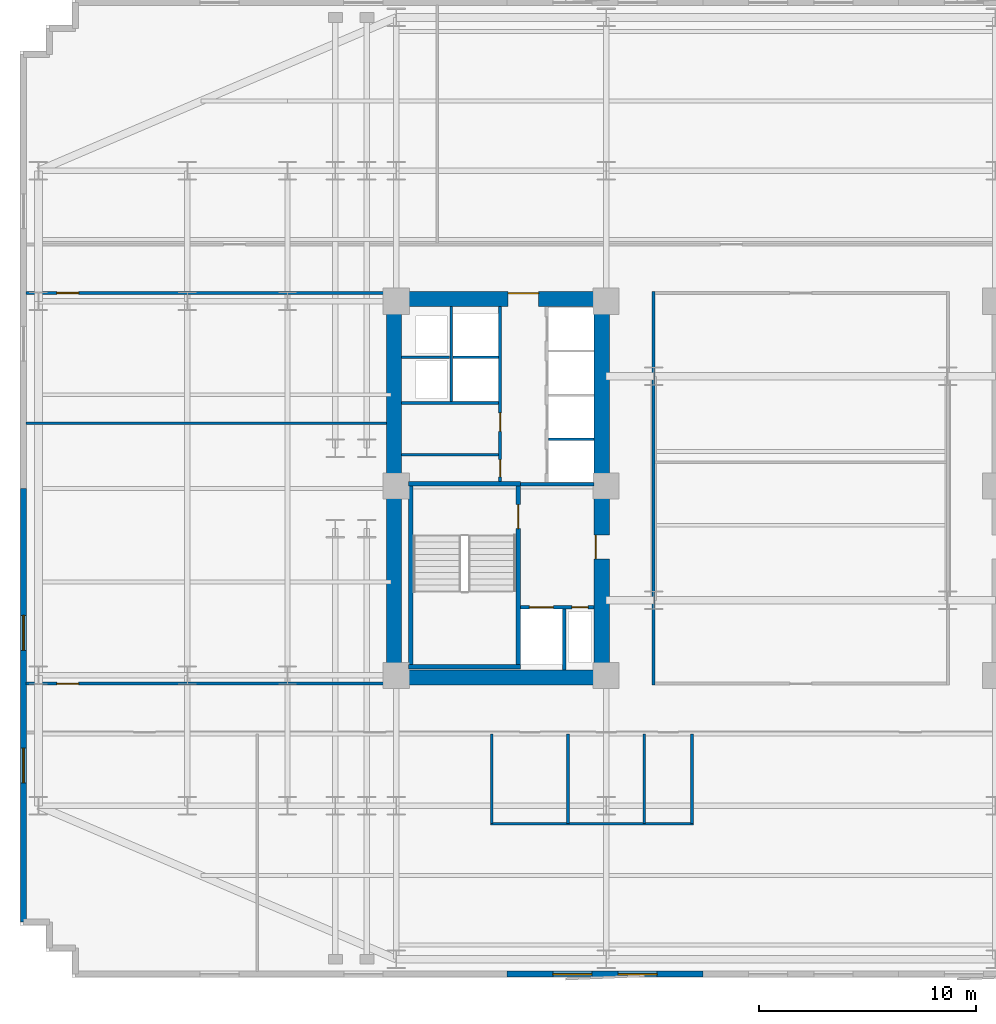
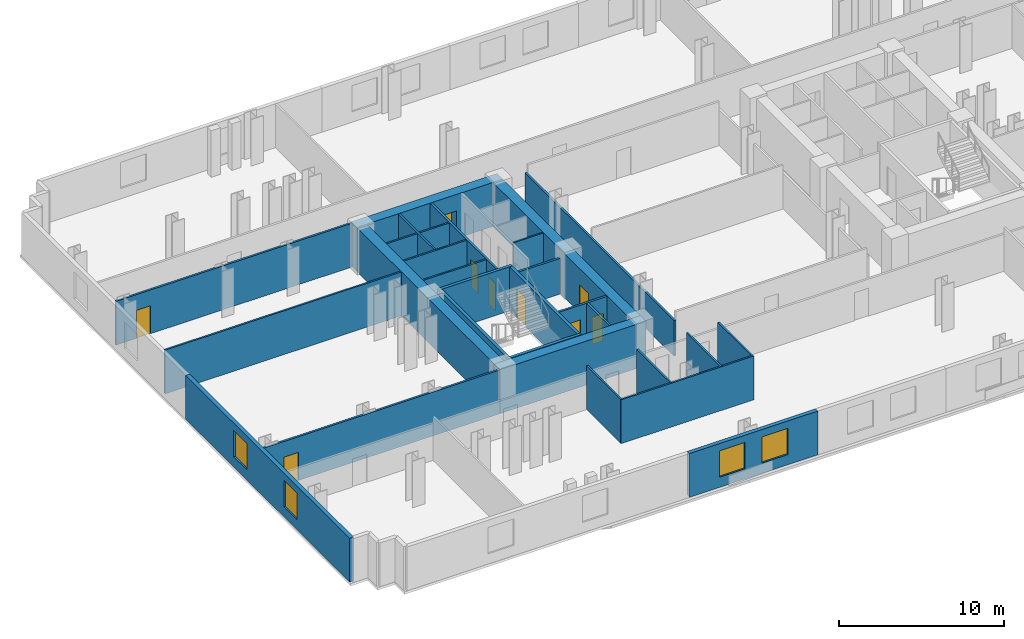
# One storey, part 4 of 10: 29 walls, 9 doors, 4 windows, 13 openings.
"""IFC4 building model written with IfcOpenShell, lengths in metres."""

from ifc_helpers import new_model, si_unit, direction, frame, frame_2d, origin, place, context, subcontext, project, spatial, rectangle, extrude, material, layer, layer_set, type_object, element, fill, save


model = new_model("IFC4")

# Units and contexts
model_context = context("Model", 3, precision=1e-05, world=origin(), true_north=direction((0.0, 1.0)))
body_context = subcontext(model_context, "Body", "Model", "MODEL_VIEW")
ifc_project = project(units=[si_unit("LENGTHUNIT", "METRE"), si_unit("AREAUNIT", "SQUARE_METRE"), si_unit("VOLUMEUNIT", "CUBIC_METRE"), si_unit("PLANEANGLEUNIT", "RADIAN"), si_unit("MASSUNIT", "GRAM", prefix="KILO")], contexts=[model_context])

# Site, building, storey
site_placement = place(None, origin())
site = spatial("IfcSite", under=ifc_project, at=site_placement, CompositionType="ELEMENT")
building_placement = place(site_placement, origin())
building = spatial("IfcBuilding", under=site, at=building_placement, Name="Velakula Bourse", CompositionType="ELEMENT")
storey_placement = place(building_placement, frame((0.0, 0.0, 34.64990234375)))
storey = spatial("IfcBuildingStorey", under=building, at=storey_placement, Name="L08", CompositionType="ELEMENT", Elevation=34.64990234375)

# Wall, opening, door
ifc_material_1 = material(Name="Concrete M50 (fck 50 MPa)", Category="concrete")
ifc_layer_1 = layer(ifc_material_1, 0.2099609375, Name="Concrete M50 (fck 50 MPa)", Category="concrete")
ifc_layer_set_1 = layer_set([ifc_layer_1], Name="Concrete M50 (fck 50 MPa)")
wall_type_1 = type_object("IfcWallType", Name="WL-CORE-210", PredefinedType="SHEAR", material=ifc_layer_set_1)
wall_1_placement = place(storey_placement, frame((-12.9951171875, -8.10009765625, 0.0), z_axis=(0.0, 0.0, 1.0), x_axis=(0.0, 1.0, 0.0)))
wall_1 = element("IfcWall", 1, at=wall_1_placement, inside=storey, type_object=wall_type_1, Name="L08 Core W Stairwell Shear Wall IN", PredefinedType="SHEAR", context=body_context, shape_type="SweptSolid", body=[
    extrude(rectangle(XDim=8.2001953125, YDim=0.2099609375, at=frame_2d((4.10009765625, 0.0))), origin(), (0.0, 0.0, 1.0), 3.27001953125),
])
opening_1_placement = place(wall_1_placement, frame((6.25, 0.0, 0.0)))
opening_1 = element("IfcOpeningElement", 2, at=opening_1_placement, cuts=wall_1, Name="Opening D-STW1", PredefinedType="OPENING", context=body_context, shape_type="SweptSolid", body=[
    extrude(rectangle(XDim=1.10009765625, YDim=2.14990234375, at=frame_2d((0.550048828125, 1.074951171875))), frame((0.0, 0.114990234375, 0.0), z_axis=(0.0, -1.0, 0.0), x_axis=(1.0, 0.0, 0.0)), (0.0, 0.0, 1.0), 0.22998046875),
])
ifc_material_2 = material(Name="Galvanised painted hollow steel fire door", Category="steel")
door_type_1 = type_object("IfcDoorType", Name="DR-FD120-1100x2150", OperationType="NOTDEFINED", PredefinedType="DOOR", material=ifc_material_2)
door_1_placement = place(opening_1_placement, origin())
door_1 = element("IfcDoor", 3, at=door_1_placement, inside=storey, type_object=door_type_1, Name="L08 Stair ST-W1 Fire Door", OperationType="SINGLE_SWING_LEFT", OverallHeight=2.14990234375, OverallWidth=1.10009765625, PredefinedType="DOOR", context=body_context, shape_type="SweptSolid", body=[
    extrude(rectangle(XDim=1.10009765625, YDim=2.14990234375, at=frame_2d((0.550048828125, 1.074951171875))), frame((0.0, 0.02490234375, 0.0), z_axis=(0.0, -1.0, 0.0), x_axis=(1.0, 0.0, 0.0)), (0.0, 0.0, 1.0), 0.050048828125),
])
fill(opening_1, door_1)

# Walls
wall_2_placement = place(storey_placement, frame((-17.925048828125, -8.10009765625, 0.0), z_axis=(0.0, 0.0, 1.0), x_axis=(0.0, 1.0, 0.0)))
element("IfcWall", 4, at=wall_2_placement, inside=storey, type_object=wall_type_1, Name="L08 Core W Stairwell Shear Wall OUT", PredefinedType="SHEAR", context=body_context, shape_type="SweptSolid", body=[
    extrude(rectangle(XDim=8.2001953125, YDim=0.2099609375, at=frame_2d((4.10009765625, 0.0))), origin(), (0.0, 0.0, 1.0), 3.27001953125),
])
for number, where, z_axis, x_axis, name in (
    (5, (-18.030029296875, -8.205078125, 0.0), (0.0, 0.0, 1.0), (1.0, 0.0, 0.0), "L08 Core W Stairwell Shear Wall S"),
    (6, (-12.889892578125, 0.205078125, 0.0), (0.0, 0.0, 1.0), (-1.0, 0.0, 0.0), "L08 Core W Stairwell Shear Wall N"),
):
    element("IfcWall", number, at=place(storey_placement, frame(where, z_axis=z_axis, x_axis=x_axis)), inside=storey, type_object=wall_type_1, Name=name, PredefinedType="SHEAR", context=body_context, shape_type="SweptSolid", body=[
        extrude(rectangle(XDim=5.14013671875, YDim=0.2099609375, at=frame_2d((2.570068359375, 0.0))), origin(), (0.0, 0.0, 1.0), 3.27001953125),
    ])
ifc_material_3 = material(Name="Concrete M70 (fck 70 MPa)", Category="concrete")
ifc_layer_2 = layer(ifc_material_3, 0.699951171875, Name="Concrete M70 (fck 70 MPa)", Category="concrete")
ifc_layer_set_2 = layer_set([ifc_layer_2], Name="Concrete M70 (fck 70 MPa)")
wall_type_2 = type_object("IfcWallType", Name="WL-CORE-700", PredefinedType="SHEAR", material=ifc_layer_set_2)
wall_3_placement = place(storey_placement, frame((-19.050048828125, -8.699951171875, 0.0), z_axis=(0.0, 0.0, 1.0), x_axis=(1.0, 0.0, 0.0)))
element("IfcWall", 7, at=wall_3_placement, inside=storey, type_object=wall_type_2, Name="L08 Core W Shear Wall S", PredefinedType="SHEAR", context=body_context, shape_type="SweptSolid", body=[
    extrude(rectangle(XDim=10.25, YDim=0.699951171875, at=frame_2d((5.125, 0.0))), origin(), (0.0, 0.0, 1.0), 3.27001953125),
])

# Wall, opening, door
wall_4_placement = place(storey_placement, frame((-19.050048828125, 8.699951171875, 0.0), z_axis=(0.0, 0.0, 1.0), x_axis=(1.0, 0.0, 0.0)))
wall_4 = element("IfcWall", 8, at=wall_4_placement, inside=storey, type_object=wall_type_2, Name="L08 Core W Shear Wall N", PredefinedType="SHEAR", context=body_context, shape_type="SweptSolid", body=[
    extrude(rectangle(XDim=10.25, YDim=0.699951171875, at=frame_2d((5.125, 0.0))), origin(), (0.0, 0.0, 1.0), 3.27001953125),
])
opening_2_placement = place(wall_4_placement, frame((5.60009765625, 0.0, 0.0)))
opening_2 = element("IfcOpeningElement", 9, at=opening_2_placement, cuts=wall_4, Name="Opening D-LLW", PredefinedType="OPENING", context=body_context, shape_type="SweptSolid", body=[
    extrude(rectangle(XDim=1.39990234375, YDim=2.050048828125, at=frame_2d((0.699951171875, 1.02490234375))), frame((0.0, 0.35986328125, 0.0), z_axis=(0.0, -1.0, 0.0), x_axis=(1.0, 0.0, 0.0)), (0.0, 0.0, 1.0), 0.719970703125),
])
ifc_material_4 = material(Name="Fire-rated hardwood flush architectural door", Category="wood")
door_type_2 = type_object("IfcDoorType", Name="DR-DBL-FD60-1400", OperationType="DOUBLE_DOOR_SINGLE_SWING", PredefinedType="DOOR", material=ifc_material_4)
door_2_placement = place(opening_2_placement, origin())
door_2 = element("IfcDoor", 10, at=door_2_placement, inside=storey, type_object=door_type_2, Name="L08 Core W Lift Lobby Corridor Double Door", OperationType="DOUBLE_DOOR_SINGLE_SWING", OverallHeight=2.050048828125, OverallWidth=1.39990234375, PredefinedType="DOOR", context=body_context, shape_type="SweptSolid", body=[
    extrude(rectangle(XDim=1.39990234375, YDim=2.050048828125, at=frame_2d((0.699951171875, 1.02490234375))), frame((0.0, 0.294921875, 0.0), z_axis=(0.0, -1.0, 0.0), x_axis=(1.0, 0.0, 0.0)), (0.0, 0.0, 1.0), 0.050048828125),
])
fill(opening_2, door_2)

# Wall
wall_5_placement = place(storey_placement, frame((-18.699951171875, -8.35009765625, 0.0), z_axis=(0.0, 0.0, 1.0), x_axis=(0.0, 1.0, 0.0)))
element("IfcWall", 11, at=wall_5_placement, inside=storey, type_object=wall_type_2, Name="L08 Core W Shear Wall W", PredefinedType="SHEAR", context=body_context, shape_type="SweptSolid", body=[
    extrude(rectangle(XDim=16.7001953125, YDim=0.699951171875, at=frame_2d((8.35009765625, 0.0))), origin(), (0.0, 0.0, 1.0), 3.27001953125),
])

# Wall, opening, door
wall_6_placement = place(storey_placement, frame((-9.14990234375, -8.35009765625, 0.0), z_axis=(0.0, 0.0, 1.0), x_axis=(0.0, 1.0, 0.0)))
wall_6 = element("IfcWall", 12, at=wall_6_placement, inside=storey, type_object=wall_type_2, Name="L08 Core W Shear Wall E", PredefinedType="SHEAR", context=body_context, shape_type="SweptSolid", body=[
    extrude(rectangle(XDim=16.7001953125, YDim=0.699951171875, at=frame_2d((8.35009765625, 0.0))), origin(), (0.0, 0.0, 1.0), 3.27001953125),
])
opening_3_placement = place(wall_6_placement, frame((5.10009765625, 0.0, 0.0)))
opening_3 = element("IfcOpeningElement", 13, at=opening_3_placement, cuts=wall_6, Name="Opening D-FLW", PredefinedType="OPENING", context=body_context, shape_type="SweptSolid", body=[
    extrude(rectangle(XDim=1.10009765625, YDim=2.080078125, at=frame_2d((0.550048828125, 1.0400390625))), frame((0.0, 0.35986328125, 0.0), z_axis=(0.0, -1.0, 0.0), x_axis=(1.0, 0.0, 0.0)), (0.0, 0.0, 1.0), 0.719970703125),
])
door_type_3 = type_object("IfcDoorType", Name="DR-FD120-1100", OperationType="NOTDEFINED", PredefinedType="DOOR", material=ifc_material_2)
door_3_placement = place(opening_3_placement, origin())
door_3 = element("IfcDoor", 14, at=door_3_placement, inside=storey, type_object=door_type_3, Name="L08 Firefighting Lobby W Corridor Fire Door", OperationType="SINGLE_SWING_LEFT", OverallHeight=2.080078125, OverallWidth=1.10009765625, PredefinedType="DOOR", context=body_context, shape_type="SweptSolid", body=[
    extrude(rectangle(XDim=1.10009765625, YDim=2.080078125, at=frame_2d((0.550048828125, 1.0400390625))), frame((0.0, 0.30517578125, 0.0), z_axis=(0.0, -1.0, 0.0), x_axis=(1.0, 0.0, 0.0)), (0.0, 0.0, 1.0), 0.050048828125),
])
fill(opening_3, door_3)

# Wall, openings, windows
ifc_material_5 = material(Name="Red kilned clay facing brick masonry", Category="masonry")
ifc_layer_3 = layer(ifc_material_5, 0.280029296875, Name="Red kilned clay facing brick masonry", Category="masonry")
ifc_layer_set_3 = layer_set([ifc_layer_3], Name="Red kilned clay facing brick masonry")
wall_type_3 = type_object("IfcWallType", Name="WL-EXT-BRK-280", PredefinedType="STANDARD", material=ifc_layer_set_3)
wall_7_placement = place(storey_placement, frame((-4.5, -22.340087890625, 0.0), z_axis=(0.0, 0.0, 1.0), x_axis=(-1.0, 0.0, 0.0)))
wall_7 = element("IfcWall", 15, at=wall_7_placement, inside=storey, type_object=wall_type_3, Name="L08 S Brick Spandrel Wall B2", PredefinedType="STANDARD", context=body_context, shape_type="SweptSolid", body=[
    extrude(rectangle(XDim=9.0, YDim=0.280029296875, at=frame_2d((4.5, 0.0))), origin(), (0.0, 0.0, 1.0), 3.25),
])
opening_4_placement = place(wall_7_placement, frame((2.10009765625, 0.0, 0.760009765625)))
opening_4 = element("IfcOpeningElement", 16, at=opening_4_placement, cuts=wall_7, Name="Opening W-01", PredefinedType="OPENING", context=body_context, shape_type="SweptSolid", body=[
    extrude(rectangle(XDim=1.800048828125, YDim=1.949951171875, at=frame_2d((0.89990234375, 0.97509765625))), frame((0.0, 0.14990234375, 0.0), z_axis=(0.0, -1.0, 0.0), x_axis=(1.0, 0.0, 0.0)), (0.0, 0.0, 1.0), 0.300048828125),
])
opening_5_placement = place(wall_7_placement, frame((5.10009765625, 0.0, 0.760009765625)))
opening_5 = element("IfcOpeningElement", 17, at=opening_5_placement, cuts=wall_7, Name="Opening W-01", PredefinedType="OPENING", context=body_context, shape_type="SweptSolid", body=[
    extrude(rectangle(XDim=1.800048828125, YDim=1.949951171875, at=frame_2d((0.89990234375, 0.97509765625))), frame((0.0, 0.14990234375, 0.0), z_axis=(0.0, -1.0, 0.0), x_axis=(1.0, 0.0, 0.0)), (0.0, 0.0, 1.0), 0.300048828125),
])
ifc_material_6 = material(Name="Double-glazed solar-control Low-E glass", Category="glass")
window_type_1 = type_object("IfcWindowType", Name="WIN-TWR-1800x2100", PartitioningType="SINGLE_PANEL", PredefinedType="WINDOW", material=ifc_material_6)
window_1_placement = place(opening_4_placement, origin())
window_1 = element("IfcWindow", 18, at=window_1_placement, inside=storey, type_object=window_type_1, Name="L08 Deep-Set Recessed Window 1", OverallHeight=1.949951171875, OverallWidth=1.800048828125, PartitioningType="SINGLE_PANEL", PredefinedType="WINDOW", context=body_context, shape_type="SweptSolid", body=[
    extrude(rectangle(XDim=1.800048828125, YDim=1.949951171875, at=frame_2d((0.89990234375, 0.97509765625))), frame((0.0, 0.030029296875, 0.0), z_axis=(0.0, -1.0, 0.0), x_axis=(1.0, 0.0, 0.0)), (0.0, 0.0, 1.0), 0.06005859375),
])
fill(opening_4, window_1)
window_2_placement = place(opening_5_placement, origin())
window_2 = element("IfcWindow", 19, at=window_2_placement, inside=storey, type_object=window_type_1, Name="L08 Deep-Set Recessed Window 2", OverallHeight=1.949951171875, OverallWidth=1.800048828125, PartitioningType="SINGLE_PANEL", PredefinedType="WINDOW", context=body_context, shape_type="SweptSolid", body=[
    extrude(rectangle(XDim=1.800048828125, YDim=1.949951171875, at=frame_2d((0.89990234375, 0.97509765625))), frame((0.0, 0.030029296875, 0.0), z_axis=(0.0, -1.0, 0.0), x_axis=(1.0, 0.0, 0.0)), (0.0, 0.0, 1.0), 0.06005859375),
])
fill(opening_5, window_2)

wall_8_placement = place(storey_placement, frame((-35.739990234375, -19.93994140625, 0.0), z_axis=(0.0, 0.0, 1.0), x_axis=(0.0, 1.0, 0.0)))
wall_8 = element("IfcWall", 20, at=wall_8_placement, inside=storey, type_object=wall_type_3, Name="L08 W Brick End Wall W1", PredefinedType="STANDARD", context=body_context, shape_type="SweptSolid", body=[
    extrude(rectangle(XDim=19.93994140625, YDim=0.280029296875, at=frame_2d((9.969970703125, 0.0))), origin(), (0.0, 0.0, 1.0), 3.25),
])
opening_6_placement = place(wall_8_placement, frame((6.396728515625, 0.0, 0.760009765625)))
opening_6 = element("IfcOpeningElement", 21, at=opening_6_placement, cuts=wall_8, Name="Opening W-02", PredefinedType="OPENING", context=body_context, shape_type="SweptSolid", body=[
    extrude(rectangle(XDim=1.60009765625, YDim=1.949951171875, at=frame_2d((0.800048828125, 0.97509765625))), frame((0.0, 0.14990234375, 0.0), z_axis=(0.0, -1.0, 0.0), x_axis=(1.0, 0.0, 0.0)), (0.0, 0.0, 1.0), 0.300048828125),
])
opening_7_placement = place(wall_8_placement, frame((12.493408203125, 0.0, 0.760009765625)))
opening_7 = element("IfcOpeningElement", 22, at=opening_7_placement, cuts=wall_8, Name="Opening W-02", PredefinedType="OPENING", context=body_context, shape_type="SweptSolid", body=[
    extrude(rectangle(XDim=1.60009765625, YDim=1.949951171875, at=frame_2d((0.800048828125, 0.97509765625))), frame((0.0, 0.14990234375, 0.0), z_axis=(0.0, -1.0, 0.0), x_axis=(1.0, 0.0, 0.0)), (0.0, 0.0, 1.0), 0.300048828125),
])
window_type_2 = type_object("IfcWindowType", Name="WIN-TWR-1600x2100", PartitioningType="SINGLE_PANEL", PredefinedType="WINDOW", material=ifc_material_6)
window_3_placement = place(opening_6_placement, origin())
window_3 = element("IfcWindow", 23, at=window_3_placement, inside=storey, type_object=window_type_2, Name="L08 Deep-Set Recessed Window 1", OverallHeight=1.949951171875, OverallWidth=1.60009765625, PartitioningType="SINGLE_PANEL", PredefinedType="WINDOW", context=body_context, shape_type="SweptSolid", body=[
    extrude(rectangle(XDim=1.60009765625, YDim=1.949951171875, at=frame_2d((0.800048828125, 0.97509765625))), frame((0.0, 0.030029296875, 0.0), z_axis=(0.0, -1.0, 0.0), x_axis=(1.0, 0.0, 0.0)), (0.0, 0.0, 1.0), 0.06005859375),
])
fill(opening_6, window_3)
window_4_placement = place(opening_7_placement, origin())
window_4 = element("IfcWindow", 24, at=window_4_placement, inside=storey, type_object=window_type_2, Name="L08 Deep-Set Recessed Window 2", OverallHeight=1.949951171875, OverallWidth=1.60009765625, PartitioningType="SINGLE_PANEL", PredefinedType="WINDOW", context=body_context, shape_type="SweptSolid", body=[
    extrude(rectangle(XDim=1.60009765625, YDim=1.949951171875, at=frame_2d((0.800048828125, 0.97509765625))), frame((0.0, 0.030029296875, 0.0), z_axis=(0.0, -1.0, 0.0), x_axis=(1.0, 0.0, 0.0)), (0.0, 0.0, 1.0), 0.06005859375),
])
fill(opening_7, window_4)

# Walls
ifc_material_7 = material(Name="Fire-rated double-layer gypsum drywall partition", Category="gypsum")
ifc_layer_4 = layer(ifc_material_7, 0.1201171875, Name="Fire-rated double-layer gypsum drywall partition", Category="gypsum")
ifc_layer_set_4 = layer_set([ifc_layer_4], Name="Fire-rated double-layer gypsum drywall partition")
wall_type_4 = type_object("IfcWallType", Name="WL-PART-120", PredefinedType="STANDARD", material=ifc_layer_set_4)
wall_9_placement = place(storey_placement, frame((-11.60009765625, 2.2548828125, 0.0), z_axis=(0.0, 0.0, 1.0), x_axis=(1.0, 0.0, 0.0)))
element("IfcWall", 25, at=wall_9_placement, inside=storey, type_object=wall_type_4, Name="L08 Interior Partition WL-CRW-L08-BDIV-0", PredefinedType="STANDARD", context=body_context, shape_type="SweptSolid", body=[
    extrude(rectangle(XDim=2.10009765625, YDim=0.110107421875, at=frame_2d((1.050048828125, 0.0))), origin(), (0.0, 0.0, 1.0), 3.25),
])
wall_10_placement = place(storey_placement, frame((-18.35009765625, 3.919921875, 0.0), z_axis=(0.0, 0.0, 1.0), x_axis=(1.0, 0.0, 0.0)))
element("IfcWall", 26, at=wall_10_placement, inside=storey, type_object=wall_type_4, Name="L08 Interior Partition WL-CRW-L08-HI-S", PredefinedType="STANDARD", context=body_context, shape_type="SweptSolid", body=[
    extrude(rectangle(XDim=4.4501953125, YDim=0.1201171875, at=frame_2d((2.22509765625, 0.0))), origin(), (0.0, 0.0, 1.0), 3.25),
])
wall_11_placement = place(storey_placement, frame((-18.35009765625, 6.030029296875, 0.0), z_axis=(0.0, 0.0, 1.0), x_axis=(1.0, 0.0, 0.0)))
element("IfcWall", 27, at=wall_11_placement, inside=storey, type_object=wall_type_4, Name="L08 Interior Partition WL-CRW-L08-RIS-MID", PredefinedType="STANDARD", context=body_context, shape_type="SweptSolid", body=[
    extrude(rectangle(XDim=2.2001953125, YDim=0.1201171875, at=frame_2d((1.10009765625, 0.0))), origin(), (0.0, 0.0, 1.0), 3.25),
])
wall_12_placement = place(storey_placement, frame((-16.074951171875, 3.97998046875, 0.0), z_axis=(0.0, 0.0, 1.0), x_axis=(0.0, 1.0, 0.0)))
element("IfcWall", 28, at=wall_12_placement, inside=storey, type_object=wall_type_4, Name="L08 Interior Partition WL-CRW-L08-RIS-F", PredefinedType="STANDARD", context=body_context, shape_type="SweptSolid", body=[
    extrude(rectangle(XDim=4.3701171875, YDim=0.1201171875, at=frame_2d((2.18505859375, 0.0))), origin(), (0.0, 0.0, 1.0), 3.25),
])
wall_13_placement = place(storey_placement, frame((-16.0, 6.030029296875, 0.0), z_axis=(0.0, 0.0, 1.0), x_axis=(1.0, 0.0, 0.0)))
element("IfcWall", 29, at=wall_13_placement, inside=storey, type_object=wall_type_4, Name="L08 Interior Partition WL-CRW-L08-HI-DIV", PredefinedType="STANDARD", context=body_context, shape_type="SweptSolid", body=[
    extrude(rectangle(XDim=2.10009765625, YDim=0.1201171875, at=frame_2d((1.050048828125, 0.0))), origin(), (0.0, 0.0, 1.0), 3.25),
])
wall_14_placement = place(storey_placement, frame((-18.35009765625, 1.550048828125, 0.0), z_axis=(0.0, 0.0, 1.0), x_axis=(1.0, 0.0, 0.0)))
element("IfcWall", 30, at=wall_14_placement, inside=storey, type_object=wall_type_4, Name="L08 Interior Partition WL-CRW-L08-K1", PredefinedType="STANDARD", context=body_context, shape_type="SweptSolid", body=[
    extrude(rectangle(XDim=4.4501953125, YDim=0.1201171875, at=frame_2d((2.22509765625, 0.0))), origin(), (0.0, 0.0, 1.0), 3.25),
])
wall_15_placement = place(storey_placement, frame((-14.260009765625, -15.419921875, 0.0), z_axis=(0.0, 0.0, 1.0), x_axis=(1.0, 0.0, 0.0)))
element("IfcWall", 31, at=wall_15_placement, inside=storey, type_object=wall_type_4, Name="L08 Interior Partition WL-WC-L08-BACK", PredefinedType="STANDARD", context=body_context, shape_type="SweptSolid", body=[
    extrude(rectangle(XDim=9.320068359375, YDim=0.1201171875, at=frame_2d((4.66015625, 0.0))), origin(), (0.0, 0.0, 1.0), 3.25),
])
for number, where, z_axis, x_axis, name in (
    (32, (-14.199951171875, -15.419921875, 0.0), (0.0, 0.0, 1.0), (0.0, 1.0, 0.0), "L08 Interior Partition WL-WC-L08-V1"),
    (33, (-10.699951171875, -15.419921875, 0.0), (0.0, 0.0, 1.0), (0.0, 1.0, 0.0), "L08 Interior Partition WL-WC-L08-V2"),
    (34, (-7.199951171875, -15.419921875, 0.0), (0.0, 0.0, 1.0), (0.0, 1.0, 0.0), "L08 Interior Partition WL-WC-L08-V3"),
    (35, (-5.0, -15.419921875, 0.0), (0.0, 0.0, 1.0), (0.0, 1.0, 0.0), "L08 Interior Partition WL-WC-L08-V4"),
):
    element("IfcWall", number, at=place(storey_placement, frame(where, z_axis=z_axis, x_axis=x_axis)), inside=storey, type_object=wall_type_4, Name=name, PredefinedType="STANDARD", context=body_context, shape_type="SweptSolid", body=[
        extrude(rectangle(XDim=4.1298828125, YDim=0.1201171875, at=frame_2d((2.06494140625, 0.0))), origin(), (0.0, 0.0, 1.0), 3.25),
    ])
wall_16_placement = place(storey_placement, frame((-35.6201171875, 3.0, 0.0), z_axis=(0.0, 0.0, 1.0), x_axis=(1.0, 0.0, 0.0)))
element("IfcWall", 36, at=wall_16_placement, inside=storey, type_object=wall_type_4, Name="L08 Interior Partition WL-INT-L08-W-H", PredefinedType="STANDARD", context=body_context, shape_type="SweptSolid", body=[
    extrude(rectangle(XDim=16.570068359375, YDim=0.1201171875, at=frame_2d((8.28515625, 0.0))), origin(), (0.0, 0.0, 1.0), 3.25),
])

# Wall, opening, door
ifc_layer_5 = layer(ifc_material_7, 0.139892578125, Name="Fire-rated double-layer gypsum drywall partition", Category="gypsum")
ifc_layer_set_5 = layer_set([ifc_layer_5], Name="Fire-rated double-layer gypsum drywall partition")
wall_type_5 = type_object("IfcWallType", Name="WL-PART-140", PredefinedType="STANDARD", material=ifc_layer_set_5)
wall_17_placement = place(storey_placement, frame((-35.6201171875, 8.97998046875, 0.0), z_axis=(0.0, 0.0, 1.0), x_axis=(1.0, 0.0, 0.0)))
wall_17 = element("IfcWall", 37, at=wall_17_placement, inside=storey, type_object=wall_type_5, Name="L08 Interior Partition WL-INT-L08-W-NC", PredefinedType="STANDARD", context=body_context, shape_type="SweptSolid", body=[
    extrude(rectangle(XDim=16.570068359375, YDim=0.139892578125, at=frame_2d((8.28515625, 0.0))), origin(), (0.0, 0.0, 1.0), 3.25),
])
opening_8_placement = place(wall_17_placement, frame((1.417724609375, 0.0, 0.0)))
opening_8 = element("IfcOpeningElement", 38, at=opening_8_placement, cuts=wall_17, Name="Opening D-OF1", PredefinedType="OPENING", context=body_context, shape_type="SweptSolid", body=[
    extrude(rectangle(XDim=1.0, YDim=2.080078125, at=frame_2d((0.5, 1.0400390625))), frame((0.0, 0.079833984375, 0.0), z_axis=(0.0, -1.0, 0.0), x_axis=(1.0, 0.0, 0.0)), (0.0, 0.0, 1.0), 0.159912109375),
])
door_type_4 = type_object("IfcDoorType", Name="DR-OFF-1000", OperationType="NOTDEFINED", PredefinedType="DOOR", material=ifc_material_4)
door_4_placement = place(opening_8_placement, origin())
door_4 = element("IfcDoor", 39, at=door_4_placement, inside=storey, type_object=door_type_4, Name="L08 Legal Counsel Office Door", OperationType="SINGLE_SWING_LEFT", OverallHeight=2.080078125, OverallWidth=1.0, PredefinedType="DOOR", context=body_context, shape_type="SweptSolid", body=[
    extrude(rectangle(XDim=1.0, YDim=2.080078125, at=frame_2d((0.5, 1.0400390625))), frame((0.0, 0.02490234375, 0.0), z_axis=(0.0, -1.0, 0.0), x_axis=(1.0, 0.0, 0.0)), (0.0, 0.0, 1.0), 0.050048828125),
])
fill(opening_8, door_4)

wall_18_placement = place(storey_placement, frame((-35.6201171875, -8.97998046875, 0.0), z_axis=(0.0, 0.0, 1.0), x_axis=(1.0, 0.0, 0.0)))
wall_18 = element("IfcWall", 40, at=wall_18_placement, inside=storey, type_object=wall_type_5, Name="L08 Interior Partition WL-INT-L08-W-SC", PredefinedType="STANDARD", context=body_context, shape_type="SweptSolid", body=[
    extrude(rectangle(XDim=16.570068359375, YDim=0.139892578125, at=frame_2d((8.28515625, 0.0))), origin(), (0.0, 0.0, 1.0), 3.25),
])
opening_9_placement = place(wall_18_placement, frame((1.417724609375, 0.0, 0.0)))
opening_9 = element("IfcOpeningElement", 41, at=opening_9_placement, cuts=wall_18, Name="Opening D-OF1", PredefinedType="OPENING", context=body_context, shape_type="SweptSolid", body=[
    extrude(rectangle(XDim=1.0, YDim=2.080078125, at=frame_2d((0.5, 1.0400390625))), frame((0.0, 0.079833984375, 0.0), z_axis=(0.0, -1.0, 0.0), x_axis=(1.0, 0.0, 0.0)), (0.0, 0.0, 1.0), 0.159912109375),
])
door_5_placement = place(opening_9_placement, origin())
door_5 = element("IfcDoor", 42, at=door_5_placement, inside=storey, type_object=door_type_4, Name="L08 Quantitative Research Workspace Door", OperationType="SINGLE_SWING_RIGHT", OverallHeight=2.080078125, OverallWidth=1.0, PredefinedType="DOOR", context=body_context, shape_type="SweptSolid", body=[
    extrude(rectangle(XDim=1.0, YDim=2.080078125, at=frame_2d((0.5, 1.0400390625))), frame((0.0, 0.02490234375, 0.0), z_axis=(0.0, -1.0, 0.0), x_axis=(1.0, 0.0, 0.0)), (0.0, 0.0, 1.0), 0.050048828125),
])
fill(opening_9, door_5)

# Wall
wall_19_placement = place(storey_placement, frame((-6.780029296875, -9.050048828125, 0.0), z_axis=(0.0, 0.0, 1.0), x_axis=(0.0, 1.0, 0.0)))
element("IfcWall", 43, at=wall_19_placement, inside=storey, type_object=wall_type_5, Name="L08 Interior Partition WL-INT-L08-MID-W", PredefinedType="STANDARD", context=body_context, shape_type="SweptSolid", body=[
    extrude(rectangle(XDim=18.10009765625, YDim=0.139892578125, at=frame_2d((9.050048828125, 0.0))), origin(), (0.0, 0.0, 1.0), 2.64501953125),
])

# Wall, openings, doors
ifc_material_8 = material(Name="Autoclaved aerated concrete blockwork masonry", Category="masonry")
ifc_layer_6 = layer(ifc_material_8, 0.14990234375, Name="Autoclaved aerated concrete blockwork masonry", Category="masonry")
ifc_layer_set_6 = layer_set([ifc_layer_6], Name="Autoclaved aerated concrete blockwork masonry")
wall_type_6 = type_object("IfcWallType", Name="WL-SHAFT-150", PredefinedType="STANDARD", material=ifc_layer_set_6)
wall_20_placement = place(storey_placement, frame((-12.89501953125, -5.47509765625, 0.0), z_axis=(0.0, 0.0, 1.0), x_axis=(1.0, 0.0, 0.0)))
wall_20 = element("IfcWall", 44, at=wall_20_placement, inside=storey, type_object=wall_type_6, Name="L08 Interior Partition WL-CRW-L08-FFL-N", PredefinedType="STANDARD", context=body_context, shape_type="SweptSolid", body=[
    extrude(rectangle(XDim=3.39501953125, YDim=0.14990234375, at=frame_2d((1.697509765625, 0.0))), origin(), (0.0, 0.0, 1.0), 3.25),
])
opening_10_placement = place(wall_20_placement, frame((0.419921875, 0.0, 0.0)))
opening_10 = element("IfcOpeningElement", 45, at=opening_10_placement, cuts=wall_20, Name="Opening LD-FFL-1", PredefinedType="OPENING", context=body_context, shape_type="SweptSolid", body=[
    extrude(rectangle(XDim=1.10009765625, YDim=2.14990234375, at=frame_2d((0.550048828125, 1.074951171875))), frame((0.0, 0.0849609375, 0.0), z_axis=(0.0, -1.0, 0.0), x_axis=(1.0, 0.0, 0.0)), (0.0, 0.0, 1.0), 0.169921875),
])
opening_11_placement = place(wall_20_placement, frame((2.3701171875, 0.0, 0.0)))
opening_11 = element("IfcOpeningElement", 46, at=opening_11_placement, cuts=wall_20, Name="Opening D-RS1", PredefinedType="OPENING", context=body_context, shape_type="SweptSolid", body=[
    extrude(rectangle(XDim=0.75, YDim=2.050048828125, at=frame_2d((0.375, 1.02490234375))), frame((0.0, 0.0849609375, 0.0), z_axis=(0.0, -1.0, 0.0), x_axis=(1.0, 0.0, 0.0)), (0.0, 0.0, 1.0), 0.169921875),
])
door_type_5 = type_object("IfcDoorType", Name="DR-RISER-800", OperationType="NOTDEFINED", PredefinedType="DOOR", material=ifc_material_2)
door_6_placement = place(opening_11_placement, origin())
door_6 = element("IfcDoor", 47, at=door_6_placement, inside=storey, type_object=door_type_5, Name="L08 Fire Riser Access Door", OperationType="SINGLE_SWING_LEFT", OverallHeight=2.050048828125, OverallWidth=0.75, PredefinedType="DOOR", context=body_context, shape_type="SweptSolid", body=[
    extrude(rectangle(XDim=0.75, YDim=2.050048828125, at=frame_2d((0.375, 1.02490234375))), frame((0.0, 0.02490234375, 0.0), z_axis=(0.0, -1.0, 0.0), x_axis=(1.0, 0.0, 0.0)), (0.0, 0.0, 1.0), 0.050048828125),
])
fill(opening_11, door_6)
ifc_material_9 = material(Name="Brushed grade 316 stainless steel", Category="steel")
door_type_6 = type_object("IfcDoorType", Name="DR-SLIDE-FFL-1100", OperationType="DOUBLE_DOOR_SLIDING", PredefinedType="DOOR", material=ifc_material_9)
door_7_placement = place(opening_10_placement, origin())
door_7 = element("IfcDoor", 48, at=door_7_placement, inside=storey, type_object=door_type_6, Name="L08 Firefighting Lift FFL-1 Sliding Landing Door", OperationType="DOUBLE_DOOR_SLIDING", OverallHeight=2.14990234375, OverallWidth=1.10009765625, PredefinedType="DOOR", context=body_context, shape_type="SweptSolid", body=[
    extrude(rectangle(XDim=1.10009765625, YDim=2.14990234375, at=frame_2d((0.550048828125, 1.074951171875))), frame((0.0, 0.02490234375, 0.0), z_axis=(0.0, -1.0, 0.0), x_axis=(1.0, 0.0, 0.0)), (0.0, 0.0, 1.0), 0.050048828125),
])
fill(opening_10, door_7)

# Walls
wall_21_placement = place(storey_placement, frame((-10.875, -8.35009765625, 0.0), z_axis=(0.0, 0.0, 1.0), x_axis=(0.0, 1.0, 0.0)))
element("IfcWall", 49, at=wall_21_placement, inside=storey, type_object=wall_type_6, Name="L08 Interior Partition WL-CRW-L08-FR-DIV", PredefinedType="STANDARD", context=body_context, shape_type="SweptSolid", body=[
    extrude(rectangle(XDim=2.800048828125, YDim=0.14990234375, at=frame_2d((1.39990234375, 0.0))), origin(), (0.0, 0.0, 1.0), 3.25),
])
wall_22_placement = place(storey_placement, frame((-12.889892578125, 0.18994140625, 0.0), z_axis=(0.0, 0.0, 1.0), x_axis=(1.0, 0.0, 0.0)))
element("IfcWall", 50, at=wall_22_placement, inside=storey, type_object=wall_type_6, Name="L08 Interior Partition WL-CRW-L08-FF-TOP", PredefinedType="STANDARD", context=body_context, shape_type="SweptSolid", body=[
    extrude(rectangle(XDim=3.389892578125, YDim=0.14990234375, at=frame_2d((1.69482421875, 0.0))), origin(), (0.0, 0.0, 1.0), 2.64501953125),
])

# Wall, openings, doors
wall_23_placement = place(storey_placement, frame((-13.824951171875, 0.27001953125, 0.0), z_axis=(0.0, 0.0, 1.0), x_axis=(0.0, 1.0, 0.0)))
wall_23 = element("IfcWall", 51, at=wall_23_placement, inside=storey, type_object=wall_type_6, Name="L08 Interior Partition WL-CRW-L08-OUT-F", PredefinedType="STANDARD", context=body_context, shape_type="SweptSolid", body=[
    extrude(rectangle(XDim=8.080078125, YDim=0.14990234375, at=frame_2d((4.0400390625, 0.0))), origin(), (0.0, 0.0, 1.0), 3.25),
])
opening_12_placement = place(wall_23_placement, frame((0.25, 0.0, 0.0)))
opening_12 = element("IfcOpeningElement", 52, at=opening_12_placement, cuts=wall_23, Name="Opening D-CS1", PredefinedType="OPENING", context=body_context, shape_type="SweptSolid", body=[
    extrude(rectangle(XDim=0.800048828125, YDim=2.050048828125, at=frame_2d((0.39990234375, 1.02490234375))), frame((0.0, 0.0849609375, 0.0), z_axis=(0.0, -1.0, 0.0), x_axis=(1.0, 0.0, 0.0)), (0.0, 0.0, 1.0), 0.169921875),
])
opening_13_placement = place(wall_23_placement, frame((2.35009765625, 0.0, 0.0)))
opening_13 = element("IfcOpeningElement", 53, at=opening_13_placement, cuts=wall_23, Name="Opening D-CW1", PredefinedType="OPENING", context=body_context, shape_type="SweptSolid", body=[
    extrude(rectangle(XDim=0.85009765625, YDim=2.050048828125, at=frame_2d((0.425048828125, 1.02490234375))), frame((0.0, 0.0849609375, 0.0), z_axis=(0.0, -1.0, 0.0), x_axis=(1.0, 0.0, 0.0)), (0.0, 0.0, 1.0), 0.169921875),
])
door_type_7 = type_object("IfcDoorType", Name="DR-INT-850", OperationType="NOTDEFINED", PredefinedType="DOOR", material=ifc_material_4)
door_8_placement = place(opening_13_placement, origin())
door_8 = element("IfcDoor", 54, at=door_8_placement, inside=storey, type_object=door_type_7, Name="L08 Core Janitor Closet Door", OperationType="SINGLE_SWING_RIGHT", OverallHeight=2.050048828125, OverallWidth=0.85009765625, PredefinedType="DOOR", context=body_context, shape_type="SweptSolid", body=[
    extrude(rectangle(XDim=0.85009765625, YDim=2.050048828125, at=frame_2d((0.425048828125, 1.02490234375))), frame((0.0, 0.02490234375, 0.0), z_axis=(0.0, -1.0, 0.0), x_axis=(1.0, 0.0, 0.0)), (0.0, 0.0, 1.0), 0.050048828125),
])
fill(opening_13, door_8)
door_type_8 = type_object("IfcDoorType", Name="DR-RISER-800x2050", OperationType="NOTDEFINED", PredefinedType="DOOR", material=ifc_material_2)
door_9_placement = place(opening_12_placement, origin())
door_9 = element("IfcDoor", 55, at=door_9_placement, inside=storey, type_object=door_type_8, Name="L08 Core Cleaner Store Door", OperationType="SINGLE_SWING_RIGHT", OverallHeight=2.050048828125, OverallWidth=0.800048828125, PredefinedType="DOOR", context=body_context, shape_type="SweptSolid", body=[
    extrude(rectangle(XDim=0.800048828125, YDim=2.050048828125, at=frame_2d((0.39990234375, 1.02490234375))), frame((0.0, 0.02490234375, 0.0), z_axis=(0.0, -1.0, 0.0), x_axis=(1.0, 0.0, 0.0)), (0.0, 0.0, 1.0), 0.050048828125),
])
fill(opening_12, door_9)

save(model, "model.ifc")
